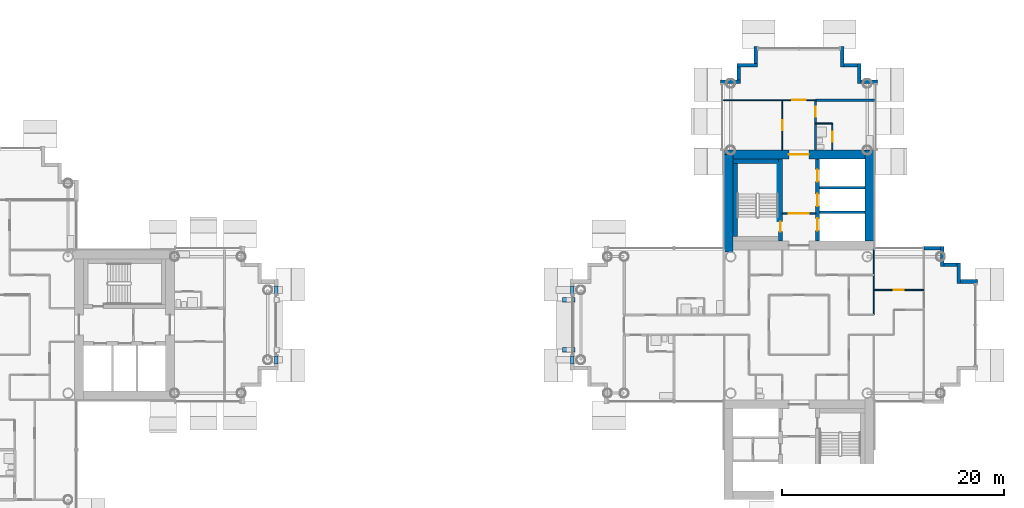
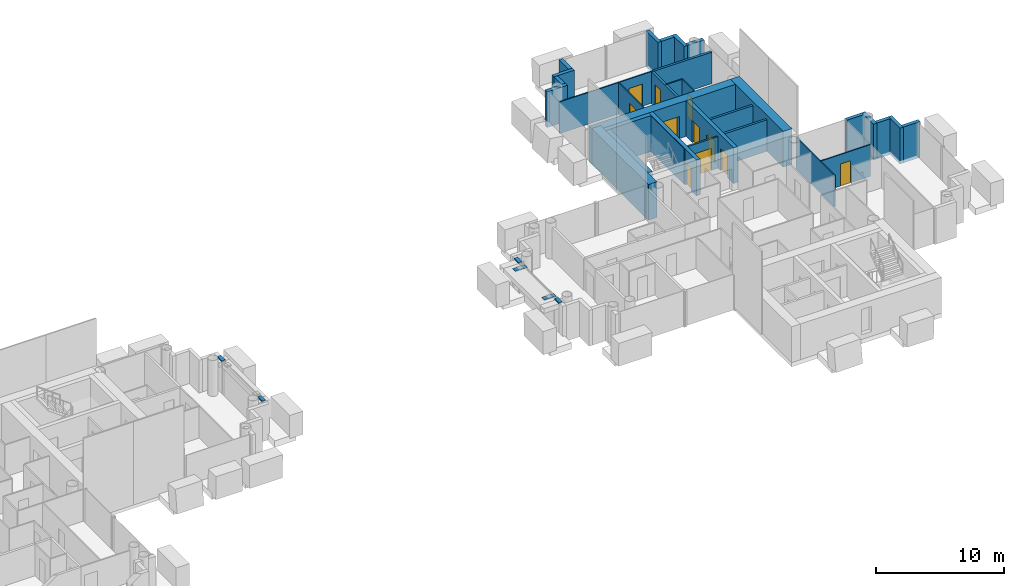
# One storey, part 11 of 18: 36 walls, 11 doors, 2 discrete accessories, 11 openings.
"""IFC4 building model written with IfcOpenShell, lengths in metres."""

from ifc_helpers import new_model, si_unit, direction, frame, frame_2d, origin, origin_2d, place, context, subcontext, project, spatial, rectangle, extrude, material, layer, layer_set, type_object, element, fill, save


model = new_model("IFC4")

# Units and contexts
model_context = context("Model", 3, precision=1e-05, world=origin(), true_north=direction((0.0, 1.0)))
body_context = subcontext(model_context, "Body", "Model", "MODEL_VIEW")
ifc_project = project(units=[si_unit("LENGTHUNIT", "METRE"), si_unit("AREAUNIT", "SQUARE_METRE"), si_unit("VOLUMEUNIT", "CUBIC_METRE"), si_unit("PLANEANGLEUNIT", "RADIAN"), si_unit("MASSUNIT", "GRAM", prefix="KILO")], contexts=[model_context])

# Site, building, storey
site_placement = place(None, origin())
site = spatial("IfcSite", under=ifc_project, at=site_placement, CompositionType="ELEMENT")
building_placement = place(site_placement, origin())
building = spatial("IfcBuilding", under=site, at=building_placement, Name="Ipe Terrace Towers", CompositionType="ELEMENT")
storey_placement = place(building_placement, frame((0.0, 0.0, 177.89990234375)))
storey = spatial("IfcBuildingStorey", under=building, at=storey_placement, Name="L49", CompositionType="ELEMENT", Elevation=177.89990234375)

# Walls
ifc_material_1 = material(Name="Concrete C40/50 with buff precast cladding", Category="concrete")
ifc_layer_1 = layer(ifc_material_1, 0.320068359375)
ifc_layer_set_1 = layer_set([ifc_layer_1], Name="BUFF CLADDING WALL 320")
wall_type_1 = type_object("IfcWallType", Name="BUFF CLADDING WALL 320", PredefinedType="STANDARD", material=ifc_layer_set_1)
for number, where, z_axis, x_axis, name in (
    (1, (-11.090087890625, -3.5, 2.97998046875), (0.0, 0.0, 1.0), (0.0, 1.0, 0.0), "T1-W-L49-21c wall"),
    (2, (-11.090087890625, 2.800048828125, 2.97998046875), (0.0, 0.0, 1.0), (0.0, 1.0, 0.0), "T1-W-L49-21f wall"),
):
    element("IfcWall", number, at=place(storey_placement, frame(where, z_axis=z_axis, x_axis=x_axis)), inside=storey, type_object=wall_type_1, Name=name, PredefinedType="STANDARD", context=body_context, shape_type="SweptSolid", body=[
        extrude(rectangle(XDim=0.699951171875, YDim=0.320068359375, at=frame_2d((0.35009765625, 0.0))), origin(), (0.0, 0.0, 1.0), 0.1201171875),
    ])
wall_1_placement = place(storey_placement, frame((52.070068359375, 3.909912109375, -0.2998046875), z_axis=(0.0, 0.0, 1.0), x_axis=(-1.0, 0.0, 0.0)))
element("IfcWall", 3, at=wall_1_placement, inside=storey, type_object=wall_type_1, Name="T2-W-L49-09a wall", PredefinedType="STANDARD", context=body_context, shape_type="SweptSolid", body=[
    extrude(rectangle(XDim=1.5, YDim=0.320068359375, at=frame_2d((0.75, 0.0))), origin(), (0.0, 0.0, 1.0), 3.39990234375),
])
wall_2_placement = place(storey_placement, frame((50.409912109375, 3.75, -0.2998046875), z_axis=(0.0, 0.0, 1.0), x_axis=(0.0, 1.0, 0.0)))
element("IfcWall", 4, at=wall_2_placement, inside=storey, type_object=wall_type_1, Name="T2-W-L49-10a wall", PredefinedType="STANDARD", context=body_context, shape_type="SweptSolid", body=[
    extrude(rectangle(XDim=1.820068359375, YDim=0.320068359375, at=frame_2d((0.91015625, 0.0))), origin(), (0.0, 0.0, 1.0), 3.39990234375),
])
wall_3_placement = place(storey_placement, frame((50.25, 5.409912109375, -0.2998046875), z_axis=(0.0, 0.0, 1.0), x_axis=(-1.0, 0.0, 0.0)))
element("IfcWall", 5, at=wall_3_placement, inside=storey, type_object=wall_type_1, Name="T2-W-L49-11a wall", PredefinedType="STANDARD", context=body_context, shape_type="SweptSolid", body=[
    extrude(rectangle(XDim=1.179931640625, YDim=0.320068359375, at=frame_2d((0.58984375, 0.0))), origin(), (0.0, 0.0, 1.0), 3.39990234375),
])
wall_4_placement = place(storey_placement, frame((48.909912109375, 5.25, -0.2998046875), z_axis=(0.0, 0.0, 1.0), x_axis=(0.0, 1.0, 0.0)))
element("IfcWall", 6, at=wall_4_placement, inside=storey, type_object=wall_type_1, Name="T2-W-L49-12a wall", PredefinedType="STANDARD", context=body_context, shape_type="SweptSolid", body=[
    extrude(rectangle(XDim=1.820068359375, YDim=0.320068359375, at=frame_2d((0.91015625, 0.0))), origin(), (0.0, 0.0, 1.0), 3.39990234375),
])
for number, where, z_axis, x_axis, name in (
    (7, (48.75, 6.909912109375, -0.2998046875), (0.0, 0.0, 1.0), (-1.0, 0.0, 0.0), "T2-W-L49-13a wall"),
    (8, (43.070068359375, 21.909912109375, -0.2998046875), (0.0, 0.0, 1.0), (-1.0, 0.0, 0.0), "T2-W-L49-17a wall"),
):
    element("IfcWall", number, at=place(storey_placement, frame(where, z_axis=z_axis, x_axis=x_axis)), inside=storey, type_object=wall_type_1, Name=name, PredefinedType="STANDARD", context=body_context, shape_type="SweptSolid", body=[
        extrude(rectangle(XDim=1.5, YDim=0.320068359375, at=frame_2d((0.75, 0.0))), origin(), (0.0, 0.0, 1.0), 3.39990234375),
    ])
wall_5_placement = place(storey_placement, frame((41.409912109375, 21.75, -0.2998046875), z_axis=(0.0, 0.0, 1.0), x_axis=(0.0, 1.0, 0.0)))
element("IfcWall", 9, at=wall_5_placement, inside=storey, type_object=wall_type_1, Name="T2-W-L49-18a wall", PredefinedType="STANDARD", context=body_context, shape_type="SweptSolid", body=[
    extrude(rectangle(XDim=1.820068359375, YDim=0.320068359375, at=frame_2d((0.91015625, 0.0))), origin(), (0.0, 0.0, 1.0), 3.39990234375),
])
wall_6_placement = place(storey_placement, frame((41.25, 23.409912109375, -0.2998046875), z_axis=(0.0, 0.0, 1.0), x_axis=(-1.0, 0.0, 0.0)))
element("IfcWall", 10, at=wall_6_placement, inside=storey, type_object=wall_type_1, Name="T2-W-L49-19a wall", PredefinedType="STANDARD", context=body_context, shape_type="SweptSolid", body=[
    extrude(rectangle(XDim=1.179931640625, YDim=0.320068359375, at=frame_2d((0.58984375, 0.0))), origin(), (0.0, 0.0, 1.0), 3.39990234375),
])
wall_7_placement = place(storey_placement, frame((39.909912109375, 23.25, -0.2998046875), z_axis=(0.0, 0.0, 1.0), x_axis=(0.0, 1.0, 0.0)))
element("IfcWall", 11, at=wall_7_placement, inside=storey, type_object=wall_type_1, Name="T2-W-L49-20a wall", PredefinedType="STANDARD", context=body_context, shape_type="SweptSolid", body=[
    extrude(rectangle(XDim=1.820068359375, YDim=0.320068359375, at=frame_2d((0.91015625, 0.0))), origin(), (0.0, 0.0, 1.0), 3.39990234375),
])
wall_8_placement = place(storey_placement, frame((32.090087890625, 25.070068359375, -0.2998046875), z_axis=(0.0, 0.0, 1.0), x_axis=(0.0, -1.0, 0.0)))
element("IfcWall", 12, at=wall_8_placement, inside=storey, type_object=wall_type_1, Name="T2-W-L49-22a wall", PredefinedType="STANDARD", context=body_context, shape_type="SweptSolid", body=[
    extrude(rectangle(XDim=1.5, YDim=0.320068359375, at=frame_2d((0.75, 0.0))), origin(), (0.0, 0.0, 1.0), 3.39990234375),
])
wall_9_placement = place(storey_placement, frame((32.25, 23.409912109375, -0.2998046875), z_axis=(0.0, 0.0, 1.0), x_axis=(-1.0, 0.0, 0.0)))
element("IfcWall", 13, at=wall_9_placement, inside=storey, type_object=wall_type_1, Name="T2-W-L49-23a wall", PredefinedType="STANDARD", context=body_context, shape_type="SweptSolid", body=[
    extrude(rectangle(XDim=1.820068359375, YDim=0.320068359375, at=frame_2d((0.91015625, 0.0))), origin(), (0.0, 0.0, 1.0), 3.39990234375),
])
wall_10_placement = place(storey_placement, frame((30.590087890625, 23.25, -0.2998046875), z_axis=(0.0, 0.0, 1.0), x_axis=(0.0, -1.0, 0.0)))
element("IfcWall", 14, at=wall_10_placement, inside=storey, type_object=wall_type_1, Name="T2-W-L49-24a wall", PredefinedType="STANDARD", context=body_context, shape_type="SweptSolid", body=[
    extrude(rectangle(XDim=1.179931640625, YDim=0.320068359375, at=frame_2d((0.58984375, 0.0))), origin(), (0.0, 0.0, 1.0), 3.39990234375),
])
wall_11_placement = place(storey_placement, frame((30.75, 21.909912109375, -0.2998046875), z_axis=(0.0, 0.0, 1.0), x_axis=(-1.0, 0.0, 0.0)))
element("IfcWall", 15, at=wall_11_placement, inside=storey, type_object=wall_type_1, Name="T2-W-L49-25a wall", PredefinedType="STANDARD", context=body_context, shape_type="SweptSolid", body=[
    extrude(rectangle(XDim=1.820068359375, YDim=0.320068359375, at=frame_2d((0.91015625, 0.0))), origin(), (0.0, 0.0, 1.0), 3.39990234375),
])
for number, where, z_axis, x_axis, name in (
    (16, (15.590087890625, 3.5, 2.97998046875), (0.0, 0.0, 1.0), (0.0, -1.0, 0.0), "T2-W-L49-34c wall"),
    (17, (15.590087890625, -2.800048828125, 2.97998046875), (0.0, 0.0, 1.0), (0.0, -1.0, 0.0), "T2-W-L49-34f wall"),
):
    element("IfcWall", number, at=place(storey_placement, frame(where, z_axis=z_axis, x_axis=x_axis)), inside=storey, type_object=wall_type_1, Name=name, PredefinedType="STANDARD", context=body_context, shape_type="SweptSolid", body=[
        extrude(rectangle(XDim=0.699951171875, YDim=0.320068359375, at=frame_2d((0.35009765625, 0.0))), origin(), (0.0, 0.0, 1.0), 0.1201171875),
    ])

# Wall, opening, door
ifc_material_2 = material(Name="Gypsum board partition", Category="plasterboard")
ifc_layer_2 = layer(ifc_material_2, 0.10009765625)
ifc_layer_set_2 = layer_set([ifc_layer_2], Name="Gypsum board partition 100 mm")
wall_type_2 = type_object("IfcWallType", Name="Gypsum board partition 100 mm", PredefinedType="PARTITIONING", material=ifc_layer_set_2)
wall_12_placement = place(storey_placement, frame((47.25, 3.14990234375, 0.0), z_axis=(0.0, 0.0, 1.0), x_axis=(-1.0, 0.0, 0.0)))
wall_12 = element("IfcWall", 18, at=wall_12_placement, inside=storey, type_object=wall_type_2, Name="Gypsum board partition T2 L49 W14", PredefinedType="PARTITIONING", context=body_context, shape_type="SweptSolid", body=[
    extrude(rectangle(XDim=4.5, YDim=0.10009765625, at=frame_2d((2.25, 0.0))), origin(), (0.0, 0.0, 1.0), 3.0),
])
opening_1_placement = place(wall_12_placement, frame((1.800048828125, 0.0, 0.0)))
opening_1 = element("IfcOpeningElement", 19, at=opening_1_placement, cuts=wall_12, Name="Opening T2-Z3E-17", PredefinedType="OPENING", context=body_context, shape_type="SweptSolid", body=[
    extrude(rectangle(XDim=0.89990234375, YDim=2.10009765625, at=frame_2d((0.449951171875, 1.050048828125))), frame((0.0, 0.06005859375, 0.0), z_axis=(0.0, -1.0, 0.0), x_axis=(1.0, 0.0, 0.0)), (0.0, 0.0, 1.0), 0.1201171875),
])
ifc_material_3 = material(Name="Timber door leaf", Category="wood")
door_type_1 = type_object("IfcDoorType", Name="Lounge door 900 x 2100", OperationType="NOTDEFINED", PredefinedType="DOOR", material=ifc_material_3)
door_1_placement = place(opening_1_placement, origin())
door_1 = element("IfcDoor", 20, at=door_1_placement, inside=storey, type_object=door_type_1, Name="Lounge door T2-Z3E-17", OperationType="SINGLE_SWING_RIGHT", OverallHeight=2.10009765625, OverallWidth=0.89990234375, PredefinedType="DOOR", context=body_context, shape_type="SweptSolid", body=[
    extrude(rectangle(XDim=0.89990234375, YDim=2.10009765625, at=frame_2d((0.449951171875, 1.050048828125))), frame((0.0, 0.02490234375, 0.0), z_axis=(0.0, -1.0, 0.0), x_axis=(1.0, 0.0, 0.0)), (0.0, 0.0, 1.0), 0.050048828125),
])
fill(opening_1, door_1)

# Wall
wall_13_placement = place(storey_placement, frame((39.0, 18.14990234375, 0.0), z_axis=(0.0, 0.0, 1.0), x_axis=(-1.0, 0.0, 0.0)))
element("IfcWall", 21, at=wall_13_placement, inside=storey, type_object=wall_type_2, Name="Gypsum board partition T2 L49 W17", PredefinedType="PARTITIONING", context=body_context, shape_type="SweptSolid", body=[
    extrude(rectangle(XDim=1.5, YDim=0.10009765625, at=frame_2d((0.75, 0.0))), origin(), (0.0, 0.0, 1.0), 3.0),
])

# Wall, opening, door
wall_14_placement = place(storey_placement, frame((37.5, 20.25, 0.0), z_axis=(0.0, 0.0, 1.0), x_axis=(-1.0, 0.0, 0.0)))
wall_14 = element("IfcWall", 22, at=wall_14_placement, inside=storey, type_object=wall_type_2, Name="Gypsum board partition T2 L49 W18", PredefinedType="PARTITIONING", context=body_context, shape_type="SweptSolid", body=[
    extrude(rectangle(XDim=8.35009765625, YDim=0.10009765625, at=frame_2d((4.175048828125, 0.0))), origin(), (0.0, 0.0, 1.0), 3.0),
])
opening_2_placement = place(wall_14_placement, frame((0.89990234375, 0.0, 0.0)))
opening_2 = element("IfcOpeningElement", 23, at=opening_2_placement, cuts=wall_14, Name="Opening T2-Z3E-23", PredefinedType="OPENING", context=body_context, shape_type="SweptSolid", body=[
    extrude(rectangle(XDim=1.199951171875, YDim=2.10009765625, at=frame_2d((0.60009765625, 1.050048828125))), frame((0.0, 0.06005859375, 0.0), z_axis=(0.0, -1.0, 0.0), x_axis=(1.0, 0.0, 0.0)), (0.0, 0.0, 1.0), 0.1201171875),
])
ifc_material_4 = material(Name="Timber door leaf", Category="wood")
door_type_2 = type_object("IfcDoorType", Name="Lounge door 1200 x 2100", OperationType="NOTDEFINED", PredefinedType="DOOR", material=ifc_material_4)
door_2_placement = place(opening_2_placement, origin())
door_2 = element("IfcDoor", 24, at=door_2_placement, inside=storey, type_object=door_type_2, Name="Lounge door T2-Z3E-23", OperationType="SINGLE_SWING_LEFT", OverallHeight=2.10009765625, OverallWidth=1.199951171875, PredefinedType="DOOR", context=body_context, shape_type="SweptSolid", body=[
    extrude(rectangle(XDim=1.199951171875, YDim=2.10009765625, at=frame_2d((0.60009765625, 1.050048828125))), frame((0.0, 0.02490234375, 0.0), z_axis=(0.0, -1.0, 0.0), x_axis=(1.0, 0.0, 0.0)), (0.0, 0.0, 1.0), 0.050048828125),
])
fill(opening_2, door_2)

# Wall
wall_15_placement = place(storey_placement, frame((42.75, 0.89990234375, 0.0), z_axis=(0.0, 0.0, 1.0), x_axis=(0.0, 1.0, 0.0)))
element("IfcWall", 25, at=wall_15_placement, inside=storey, type_object=wall_type_2, Name="Gypsum board partition T2 L49 W23", PredefinedType="PARTITIONING", context=body_context, shape_type="SweptSolid", body=[
    extrude(rectangle(XDim=5.9501953125, YDim=0.10009765625, at=frame_2d((2.97509765625, 0.0))), origin(), (0.0, 0.0, 1.0), 3.0),
])

# Wall, opening, door
wall_16_placement = place(storey_placement, frame((39.0, 15.75, 0.0), z_axis=(0.0, 0.0, 1.0), x_axis=(0.0, 1.0, 0.0)))
wall_16 = element("IfcWall", 26, at=wall_16_placement, inside=storey, type_object=wall_type_2, Name="Gypsum board partition T2 L49 W26", PredefinedType="PARTITIONING", context=body_context, shape_type="SweptSolid", body=[
    extrude(rectangle(XDim=2.39990234375, YDim=0.10009765625, at=frame_2d((1.199951171875, 0.0))), origin(), (0.0, 0.0, 1.0), 3.0),
])
opening_3_placement = place(wall_16_placement, frame((0.75, 0.0, 0.0)))
opening_3 = element("IfcOpeningElement", 27, at=opening_3_placement, cuts=wall_16, Name="Opening T2-Z3E-22", PredefinedType="OPENING", context=body_context, shape_type="SweptSolid", body=[
    extrude(rectangle(XDim=0.89990234375, YDim=2.10009765625, at=frame_2d((0.449951171875, 1.050048828125))), frame((0.0, 0.06005859375, 0.0), z_axis=(0.0, -1.0, 0.0), x_axis=(1.0, 0.0, 0.0)), (0.0, 0.0, 1.0), 0.1201171875),
])
ifc_material_5 = material(Name="Timber door leaf", Category="wood")
door_type_3 = type_object("IfcDoorType", Name="Bathroom door 900 x 2100", OperationType="NOTDEFINED", PredefinedType="DOOR", material=ifc_material_5)
door_3_placement = place(opening_3_placement, origin())
door_3 = element("IfcDoor", 28, at=door_3_placement, inside=storey, type_object=door_type_3, Name="Bathroom door T2-Z3E-22", OperationType="SINGLE_SWING_LEFT", OverallHeight=2.10009765625, OverallWidth=0.89990234375, PredefinedType="DOOR", context=body_context, shape_type="SweptSolid", body=[
    extrude(rectangle(XDim=0.89990234375, YDim=2.10009765625, at=frame_2d((0.449951171875, 1.050048828125))), frame((0.0, 0.02490234375, 0.0), z_axis=(0.0, -1.0, 0.0), x_axis=(1.0, 0.0, 0.0)), (0.0, 0.0, 1.0), 0.050048828125),
])
fill(opening_3, door_3)

wall_17_placement = place(storey_placement, frame((34.5, 15.75, 0.0), z_axis=(0.0, 0.0, 1.0), x_axis=(0.0, 1.0, 0.0)))
wall_17 = element("IfcWall", 29, at=wall_17_placement, inside=storey, type_object=wall_type_2, Name="Gypsum board partition T2 L49 W33", PredefinedType="PARTITIONING", context=body_context, shape_type="SweptSolid", body=[
    extrude(rectangle(XDim=4.5, YDim=0.10009765625, at=frame_2d((2.25, 0.0))), origin(), (0.0, 0.0, 1.0), 3.0),
])
opening_4_placement = place(wall_17_placement, frame((1.800048828125, 0.0, 0.0)))
opening_4 = element("IfcOpeningElement", 30, at=opening_4_placement, cuts=wall_17, Name="Opening T2-Z3E-20", PredefinedType="OPENING", context=body_context, shape_type="SweptSolid", body=[
    extrude(rectangle(XDim=0.89990234375, YDim=2.10009765625, at=frame_2d((0.449951171875, 1.050048828125))), frame((0.0, 0.06005859375, 0.0), z_axis=(0.0, -1.0, 0.0), x_axis=(1.0, 0.0, 0.0)), (0.0, 0.0, 1.0), 0.1201171875),
])
door_4_placement = place(opening_4_placement, origin())
door_4 = element("IfcDoor", 31, at=door_4_placement, inside=storey, type_object=door_type_1, Name="Lounge door T2-Z3E-20", OperationType="SINGLE_SWING_LEFT", OverallHeight=2.10009765625, OverallWidth=0.89990234375, PredefinedType="DOOR", context=body_context, shape_type="SweptSolid", body=[
    extrude(rectangle(XDim=0.89990234375, YDim=2.10009765625, at=frame_2d((0.449951171875, 1.050048828125))), frame((0.0, 0.02490234375, 0.0), z_axis=(0.0, -1.0, 0.0), x_axis=(1.0, 0.0, 0.0)), (0.0, 0.0, 1.0), 0.050048828125),
])
fill(opening_4, door_4)

ifc_material_6 = material(Name="Gypsum board partition", Category="plasterboard")
ifc_layer_3 = layer(ifc_material_6, 0.14990234375)
ifc_layer_set_3 = layer_set([ifc_layer_3], Name="Gypsum board partition 150 mm")
wall_type_3 = type_object("IfcWallType", Name="Gypsum board partition 150 mm", PredefinedType="PARTITIONING", material=ifc_layer_set_3)
wall_18_placement = place(storey_placement, frame((37.5, 10.050048828125, 0.0), z_axis=(0.0, 0.0, 1.0), x_axis=(-1.0, 0.0, 0.0)))
wall_18 = element("IfcWall", 32, at=wall_18_placement, inside=storey, type_object=wall_type_3, Name="Gypsum board partition T2 L49 t2c1-lobby-wall", PredefinedType="PARTITIONING", context=body_context, shape_type="SweptSolid", body=[
    extrude(rectangle(XDim=3.0, YDim=0.14990234375, at=frame_2d((1.5, 0.0))), origin(), (0.0, 0.0, 1.0), 3.0),
])
opening_5_placement = place(wall_18_placement, frame((0.60009765625, 0.0, 0.0)))
opening_5 = element("IfcOpeningElement", 33, at=opening_5_placement, cuts=wall_18, Name="Opening T2C1-VD", PredefinedType="OPENING", context=body_context, shape_type="SweptSolid", body=[
    extrude(rectangle(XDim=1.800048828125, YDim=2.10009765625, at=frame_2d((0.89990234375, 1.050048828125))), frame((0.0, 0.0849609375, 0.0), z_axis=(0.0, -1.0, 0.0), x_axis=(1.0, 0.0, 0.0)), (0.0, 0.0, 1.0), 0.169921875),
])
ifc_material_7 = material(Name="Fire-rated timber door leaf", Category="wood")
door_type_4 = type_object("IfcDoorType", Name="Lobby door 1800 x 2100 FD60", OperationType="NOTDEFINED", PredefinedType="DOOR", material=ifc_material_7)
door_5_placement = place(opening_5_placement, origin())
door_5 = element("IfcDoor", 34, at=door_5_placement, inside=storey, type_object=door_type_4, Name="Lobby door T2C1-VD", OperationType="SINGLE_SWING_LEFT", OverallHeight=2.10009765625, OverallWidth=1.800048828125, PredefinedType="DOOR", context=body_context, shape_type="SweptSolid", body=[
    extrude(rectangle(XDim=1.800048828125, YDim=2.10009765625, at=frame_2d((0.89990234375, 1.050048828125))), frame((0.0, 0.02490234375, 0.0), z_axis=(0.0, -1.0, 0.0), x_axis=(1.0, 0.0, 0.0)), (0.0, 0.0, 1.0), 0.050048828125),
])
fill(opening_5, door_5)

# Walls
ifc_material_8 = material(Name="Gypsum board party wall", Category="plasterboard")
ifc_layer_4 = layer(ifc_material_8, 0.199951171875)
ifc_layer_set_4 = layer_set([ifc_layer_4], Name="Gypsum board party wall 200 mm")
wall_type_4 = type_object("IfcWallType", Name="Gypsum board party wall 200 mm", PredefinedType="SOLIDWALL", material=ifc_layer_set_4)
for number, where, z_axis, x_axis, name in (
    (35, (41.949951171875, 10.14990234375, 0.0), (0.0, 0.0, 1.0), (-1.0, 0.0, 0.0), "Gypsum board party wall T2 L49 t2c1-shaft-div1"),
    (36, (41.949951171875, 12.35009765625, 0.0), (0.0, 0.0, 1.0), (-1.0, 0.0, 0.0), "Gypsum board party wall T2 L49 t2c1-shaft-div2"),
):
    element("IfcWall", number, at=place(storey_placement, frame(where, z_axis=z_axis, x_axis=x_axis)), inside=storey, type_object=wall_type_4, Name=name, PredefinedType="SOLIDWALL", context=body_context, shape_type="SweptSolid", body=[
        extrude(rectangle(XDim=4.099853515625, YDim=0.199951171875, at=frame_2d((2.0498046875, 0.0))), origin(), (0.0, 0.0, 1.0), 3.0),
    ])
wall_19_placement = place(storey_placement, frame((42.85009765625, 20.25, 0.0), z_axis=(0.0, 0.0, 1.0), x_axis=(-1.0, 0.0, 0.0)))
element("IfcWall", 37, at=wall_19_placement, inside=storey, type_object=wall_type_4, Name="Gypsum board party wall T2 L49 W19", PredefinedType="SOLIDWALL", context=body_context, shape_type="SweptSolid", body=[
    extrude(rectangle(XDim=5.35009765625, YDim=0.199951171875, at=frame_2d((2.675048828125, 0.0))), origin(), (0.0, 0.0, 1.0), 3.0),
])

# Wall, opening, door
wall_20_placement = place(storey_placement, frame((37.5, 15.75, 0.0), z_axis=(0.0, 0.0, 1.0), x_axis=(0.0, 1.0, 0.0)))
wall_20 = element("IfcWall", 38, at=wall_20_placement, inside=storey, type_object=wall_type_4, Name="Gypsum board party wall T2 L49 W30", PredefinedType="SOLIDWALL", context=body_context, shape_type="SweptSolid", body=[
    extrude(rectangle(XDim=4.5, YDim=0.199951171875, at=frame_2d((2.25, 0.0))), origin(), (0.0, 0.0, 1.0), 3.0),
])
opening_6_placement = place(wall_20_placement, frame((3.0, 0.0, 0.0)))
opening_6 = element("IfcOpeningElement", 39, at=opening_6_placement, cuts=wall_20, Name="Opening T2-Z3E-21", PredefinedType="OPENING", context=body_context, shape_type="SweptSolid", body=[
    extrude(rectangle(XDim=0.89990234375, YDim=2.10009765625, at=frame_2d((0.449951171875, 1.050048828125))), frame((0.0, 0.10986328125, 0.0), z_axis=(0.0, -1.0, 0.0), x_axis=(1.0, 0.0, 0.0)), (0.0, 0.0, 1.0), 0.219970703125),
])
ifc_material_9 = material(Name="Fire-rated timber door leaf", Category="wood")
door_type_5 = type_object("IfcDoorType", Name="Flat entrance door 900 x 2100 FD30S", OperationType="NOTDEFINED", PredefinedType="DOOR", material=ifc_material_9)
door_6_placement = place(opening_6_placement, origin())
door_6 = element("IfcDoor", 40, at=door_6_placement, inside=storey, type_object=door_type_5, Name="Flat entrance door T2-Z3E-21", OperationType="SINGLE_SWING_RIGHT", OverallHeight=2.10009765625, OverallWidth=0.89990234375, PredefinedType="DOOR", context=body_context, shape_type="SweptSolid", body=[
    extrude(rectangle(XDim=0.89990234375, YDim=2.10009765625, at=frame_2d((0.449951171875, 1.050048828125))), frame((0.0, 0.02490234375, 0.0), z_axis=(0.0, -1.0, 0.0), x_axis=(1.0, 0.0, 0.0)), (0.0, 0.0, 1.0), 0.050048828125),
])
fill(opening_6, door_6)

ifc_material_10 = material(Name="Concrete C50/60", Category="concrete")
ifc_layer_5 = layer(ifc_material_10, 0.35009765625)
ifc_layer_set_5 = layer_set([ifc_layer_5], Name="RW350 CORE SPINE WALL 350 C50-60")
wall_type_5 = type_object("IfcWallType", Name="RW350 CORE SPINE WALL 350 C50-60", PredefinedType="SHEAR", material=ifc_layer_set_5)
wall_21_placement = place(storey_placement, frame((34.324951171875, 7.550048828125, 0.0), z_axis=(0.0, 0.0, 1.0), x_axis=(0.0, 1.0, 0.0)))
wall_21 = element("IfcWall", 41, at=wall_21_placement, inside=storey, type_object=wall_type_5, Name="Core spine wall T2-C1-Z3-SW1", PredefinedType="SHEAR", context=body_context, shape_type="SweptSolid", body=[
    extrude(rectangle(XDim=7.39990234375, YDim=0.35009765625, at=frame_2d((3.699951171875, 0.0))), origin(), (0.0, 0.0, 1.0), 3.400146484375),
])
opening_7_placement = place(wall_21_placement, frame((0.85009765625, 0.0, 0.0)))
opening_7 = element("IfcOpeningElement", 42, at=opening_7_placement, cuts=wall_21, Name="Opening T2C1-SD", PredefinedType="OPENING", context=body_context, shape_type="SweptSolid", body=[
    extrude(rectangle(XDim=0.89990234375, YDim=2.10009765625, at=frame_2d((0.449951171875, 1.050048828125))), frame((0.0, 0.18505859375, 0.0), z_axis=(0.0, -1.0, 0.0), x_axis=(1.0, 0.0, 0.0)), (0.0, 0.0, 1.0), 0.3701171875),
])
ifc_material_11 = material(Name="Fire-rated timber door leaf", Category="wood")
door_type_6 = type_object("IfcDoorType", Name="Stair door 900 x 2100 FD60", OperationType="NOTDEFINED", PredefinedType="DOOR", material=ifc_material_11)
door_7_placement = place(opening_7_placement, origin())
door_7 = element("IfcDoor", 43, at=door_7_placement, inside=storey, type_object=door_type_6, Name="Stair door T2C1-SD", OperationType="SINGLE_SWING_LEFT", OverallHeight=2.10009765625, OverallWidth=0.89990234375, PredefinedType="DOOR", context=body_context, shape_type="SweptSolid", body=[
    extrude(rectangle(XDim=0.89990234375, YDim=2.10009765625, at=frame_2d((0.449951171875, 1.050048828125))), frame((0.0, 0.02490234375, 0.0), z_axis=(0.0, -1.0, 0.0), x_axis=(1.0, 0.0, 0.0)), (0.0, 0.0, 1.0), 0.050048828125),
])
fill(opening_7, door_7)

# Wall, openings, doors
wall_22_placement = place(storey_placement, frame((37.675048828125, 7.550048828125, 0.0), z_axis=(0.0, 0.0, 1.0), x_axis=(0.0, 1.0, 0.0)))
wall_22 = element("IfcWall", 44, at=wall_22_placement, inside=storey, type_object=wall_type_5, Name="Core spine wall T2-C1-Z3-SW2", PredefinedType="SHEAR", context=body_context, shape_type="SweptSolid", body=[
    extrude(rectangle(XDim=7.39990234375, YDim=0.35009765625, at=frame_2d((3.699951171875, 0.0))), origin(), (0.0, 0.0, 1.0), 3.400146484375),
])
opening_8_placement = place(wall_22_placement, frame((0.949951171875, 0.0, 0.0)))
opening_8 = element("IfcOpeningElement", 45, at=opening_8_placement, cuts=wall_22, Name="Opening T2C1-LD1", PredefinedType="OPENING", context=body_context, shape_type="SweptSolid", body=[
    extrude(rectangle(XDim=1.10009765625, YDim=2.10009765625, at=frame_2d((0.550048828125, 1.050048828125))), frame((0.0, 0.18505859375, 0.0), z_axis=(0.0, -1.0, 0.0), x_axis=(1.0, 0.0, 0.0)), (0.0, 0.0, 1.0), 0.3701171875),
])
opening_9_placement = place(wall_22_placement, frame((3.14990234375, 0.0, 0.0)))
opening_9 = element("IfcOpeningElement", 46, at=opening_9_placement, cuts=wall_22, Name="Opening T2C1-LD2", PredefinedType="OPENING", context=body_context, shape_type="SweptSolid", body=[
    extrude(rectangle(XDim=1.10009765625, YDim=2.10009765625, at=frame_2d((0.550048828125, 1.050048828125))), frame((0.0, 0.18505859375, 0.0), z_axis=(0.0, -1.0, 0.0), x_axis=(1.0, 0.0, 0.0)), (0.0, 0.0, 1.0), 0.3701171875),
])
opening_10_placement = place(wall_22_placement, frame((5.35009765625, 0.0, 0.0)))
opening_10 = element("IfcOpeningElement", 47, at=opening_10_placement, cuts=wall_22, Name="Opening T2C1-LD3", PredefinedType="OPENING", context=body_context, shape_type="SweptSolid", body=[
    extrude(rectangle(XDim=1.10009765625, YDim=2.10009765625, at=frame_2d((0.550048828125, 1.050048828125))), frame((0.0, 0.18505859375, 0.0), z_axis=(0.0, -1.0, 0.0), x_axis=(1.0, 0.0, 0.0)), (0.0, 0.0, 1.0), 0.3701171875),
])
ifc_material_12 = material(Name="Fire-rated timber door leaf", Category="wood")
door_type_7 = type_object("IfcDoorType", Name="Sliding door 1100 x 2100 FD60", OperationType="SLIDING_TO_LEFT", PredefinedType="DOOR", material=ifc_material_12)
door_8_placement = place(opening_8_placement, origin())
door_8 = element("IfcDoor", 48, at=door_8_placement, inside=storey, type_object=door_type_7, Name="Sliding door T2C1-LD1", OperationType="SLIDING_TO_LEFT", OverallHeight=2.10009765625, OverallWidth=1.10009765625, PredefinedType="DOOR", context=body_context, shape_type="SweptSolid", body=[
    extrude(rectangle(XDim=1.10009765625, YDim=2.10009765625, at=frame_2d((0.550048828125, 1.050048828125))), frame((0.0, 0.02490234375, 0.0), z_axis=(0.0, -1.0, 0.0), x_axis=(1.0, 0.0, 0.0)), (0.0, 0.0, 1.0), 0.050048828125),
])
fill(opening_8, door_8)
door_9_placement = place(opening_9_placement, origin())
door_9 = element("IfcDoor", 49, at=door_9_placement, inside=storey, type_object=door_type_7, Name="Sliding door T2C1-LD2", OperationType="SLIDING_TO_LEFT", OverallHeight=2.10009765625, OverallWidth=1.10009765625, PredefinedType="DOOR", context=body_context, shape_type="SweptSolid", body=[
    extrude(rectangle(XDim=1.10009765625, YDim=2.10009765625, at=frame_2d((0.550048828125, 1.050048828125))), frame((0.0, 0.02490234375, 0.0), z_axis=(0.0, -1.0, 0.0), x_axis=(1.0, 0.0, 0.0)), (0.0, 0.0, 1.0), 0.050048828125),
])
fill(opening_9, door_9)
door_10_placement = place(opening_10_placement, origin())
door_10 = element("IfcDoor", 50, at=door_10_placement, inside=storey, type_object=door_type_7, Name="Sliding door T2C1-LD3", OperationType="SLIDING_TO_LEFT", OverallHeight=2.10009765625, OverallWidth=1.10009765625, PredefinedType="DOOR", context=body_context, shape_type="SweptSolid", body=[
    extrude(rectangle(XDim=1.10009765625, YDim=2.10009765625, at=frame_2d((0.550048828125, 1.050048828125))), frame((0.0, 0.02490234375, 0.0), z_axis=(0.0, -1.0, 0.0), x_axis=(1.0, 0.0, 0.0)), (0.0, 0.0, 1.0), 0.050048828125),
])
fill(opening_10, door_10)

# Walls
ifc_material_13 = material(Name="Concrete C50/60", Category="concrete")
ifc_layer_6 = layer(ifc_material_13, 0.39990234375)
ifc_layer_set_6 = layer_set([ifc_layer_6], Name="RW400 CORE INFILL WALL 400 C50-60")
wall_type_6 = type_object("IfcWallType", Name="RW400 CORE INFILL WALL 400 C50-60", PredefinedType="SHEAR", material=ifc_layer_set_6)
wall_23_placement = place(storey_placement, frame((34.14990234375, 14.75, 0.0), z_axis=(0.0, 0.0, 1.0), x_axis=(-1.0, 0.0, 0.0)))
element("IfcWall", 51, at=wall_23_placement, inside=storey, type_object=wall_type_6, Name="Core infill wall T2-C1-far", PredefinedType="SHEAR", context=body_context, shape_type="SweptSolid", body=[
    extrude(rectangle(XDim=4.099853515625, YDim=0.39990234375, at=frame_2d((2.0498046875, 0.0))), origin(), (0.0, 0.0, 1.0), 3.400146484375),
])
wall_24_placement = place(storey_placement, frame((30.25, 7.949951171875, 0.0), z_axis=(0.0, 0.0, 1.0), x_axis=(0.0, 1.0, 0.0)))
element("IfcWall", 52, at=wall_24_placement, inside=storey, type_object=wall_type_6, Name="Core infill wall T2-C1-back", PredefinedType="SHEAR", context=body_context, shape_type="SweptSolid", body=[
    extrude(rectangle(XDim=6.60009765625, YDim=0.39990234375, at=frame_2d((3.300048828125, 0.0))), origin(), (0.0, 0.0, 1.0), 3.400146484375),
])
ifc_material_14 = material(Name="Concrete C50/60", Category="concrete")
ifc_layer_7 = layer(ifc_material_14, 0.050048828125)
ifc_layer_set_7 = layer_set([ifc_layer_7], Name="RW50 CORE INFILL WALL 50 C50-60")
wall_type_7 = type_object("IfcWallType", Name="RW50 CORE INFILL WALL 50 C50-60", PredefinedType="SHEAR", material=ifc_layer_set_7)
wall_25_placement = place(storey_placement, frame((34.125, 9.35009765625, 0.0), z_axis=(0.0, 0.0, 1.0), x_axis=(0.0, 1.0, 0.0)))
element("IfcWall", 53, at=wall_25_placement, inside=storey, type_object=wall_type_7, Name="Core infill wall T2-C1-spine-b", PredefinedType="SHEAR", context=body_context, shape_type="SweptSolid", body=[
    extrude(rectangle(XDim=5.199951171875, YDim=0.050048828125, at=frame_2d((2.60009765625, 0.0))), origin(), (0.0, 0.0, 1.0), 3.400146484375),
])
ifc_material_15 = material(Name="Concrete C50/60", Category="concrete")
ifc_layer_8 = layer(ifc_material_15, 0.800048828125)
ifc_layer_set_8 = layer_set([ifc_layer_8], Name="RW800 CORE WALL 800 C50-60")
wall_type_8 = type_object("IfcWallType", Name="RW800 CORE WALL 800 C50-60", PredefinedType="SHEAR", material=ifc_layer_set_8)
wall_26_placement = place(storey_placement, frame((42.35009765625, 7.550048828125, 0.0), z_axis=(0.0, 0.0, 1.0), x_axis=(0.0, 1.0, 0.0)))
element("IfcWall", 54, at=wall_26_placement, inside=storey, type_object=wall_type_8, Name="Core wall T2-C1-Z3-W02", PredefinedType="SHEAR", context=body_context, shape_type="SweptSolid", body=[
    extrude(rectangle(XDim=8.199951171875, YDim=0.800048828125, at=frame_2d((4.10009765625, 0.0))), origin(), (0.0, 0.0, 1.0), 3.400146484375),
])

# Wall, opening, door
wall_27_placement = place(storey_placement, frame((41.949951171875, 15.35009765625, 0.0), z_axis=(0.0, 0.0, 1.0), x_axis=(-1.0, 0.0, 0.0)))
wall_27 = element("IfcWall", 55, at=wall_27_placement, inside=storey, type_object=wall_type_8, Name="Core wall T2-C1-Z3-W03", PredefinedType="SHEAR", context=body_context, shape_type="SweptSolid", body=[
    extrude(rectangle(XDim=12.699951171875, YDim=0.800048828125, at=frame_2d((6.35009765625, 0.0))), origin(), (0.0, 0.0, 1.0), 3.400146484375),
])
opening_11_placement = place(wall_27_placement, frame((5.050048828125, 0.0, 0.0)))
opening_11 = element("IfcOpeningElement", 56, at=opening_11_placement, cuts=wall_27, Name="Opening T2C1-FD", PredefinedType="OPENING", context=body_context, shape_type="SweptSolid", body=[
    extrude(rectangle(XDim=1.800048828125, YDim=2.10009765625, at=frame_2d((0.89990234375, 1.050048828125))), frame((0.0, 0.41015625, 0.0), z_axis=(0.0, -1.0, 0.0), x_axis=(1.0, 0.0, 0.0)), (0.0, 0.0, 1.0), 0.820068359375),
])
ifc_material_16 = material(Name="Fire-rated timber door leaf", Category="wood")
door_type_8 = type_object("IfcDoorType", Name="Fire door 1800 x 2100 FD30S", OperationType="NOTDEFINED", PredefinedType="DOOR", material=ifc_material_16)
door_11_placement = place(opening_11_placement, origin())
door_11 = element("IfcDoor", 57, at=door_11_placement, inside=storey, type_object=door_type_8, Name="Fire door T2C1-FD", OperationType="SINGLE_SWING_LEFT", OverallHeight=2.10009765625, OverallWidth=1.800048828125, PredefinedType="DOOR", context=body_context, shape_type="SweptSolid", body=[
    extrude(rectangle(XDim=1.800048828125, YDim=2.10009765625, at=frame_2d((0.89990234375, 1.050048828125))), frame((0.0, 0.02490234375, 0.0), z_axis=(0.0, -1.0, 0.0), x_axis=(1.0, 0.0, 0.0)), (0.0, 0.0, 1.0), 0.050048828125),
])
fill(opening_11, door_11)

# Wall
wall_28_placement = place(storey_placement, frame((29.64990234375, 15.347900390625, 0.0), z_axis=(0.0, 0.0, 1.0), x_axis=(0.0, -1.0, 0.0)))
element("IfcWall", 58, at=wall_28_placement, inside=storey, type_object=wall_type_8, Name="Core wall T2-C1-Z3-W04", PredefinedType="SHEAR", context=body_context, shape_type="SweptSolid", body=[
    extrude(rectangle(XDim=8.7958984375, YDim=0.800048828125, at=frame_2d((4.39794921875, 0.0))), origin(), (0.0, 0.0, 1.0), 3.400146484375),
])

# Discrete accessories
ifc_material_17 = material(Name="PTFE sheet over stainless steel", Category="steel")
discrete_accessory_type = type_object("IfcDiscreteAccessoryType", Name="BRIDGE-PTFE SLIDING PLATE 1100x400x10", PredefinedType="USERDEFINED", material=ifc_material_17)
for number, where, z_axis, x_axis, name in (
    (59, (15.25, -2.25, 2.97998046875), (0.0, 0.0, 1.0), (1.0, 0.0, 0.0), "BR3-PT-T2-S PTFE sliding plate"),
    (60, (15.25, 2.25, 2.97998046875), (0.0, 0.0, 1.0), (1.0, 0.0, 0.0), "BR3-PT-T2-N PTFE sliding plate"),
):
    element("IfcDiscreteAccessory", number, at=place(storey_placement, frame(where, z_axis=z_axis, x_axis=x_axis)), inside=storey, type_object=discrete_accessory_type, Name=name, ObjectType="PTFE SLIDING PLATE", PredefinedType="USERDEFINED", context=body_context, shape_type="SweptSolid", body=[
        extrude(rectangle(XDim=1.10009765625, YDim=0.39990234375, at=origin_2d()), origin(), (0.0, 0.0, 1.0), 0.010009765625),
    ])

save(model, "model.ifc")
